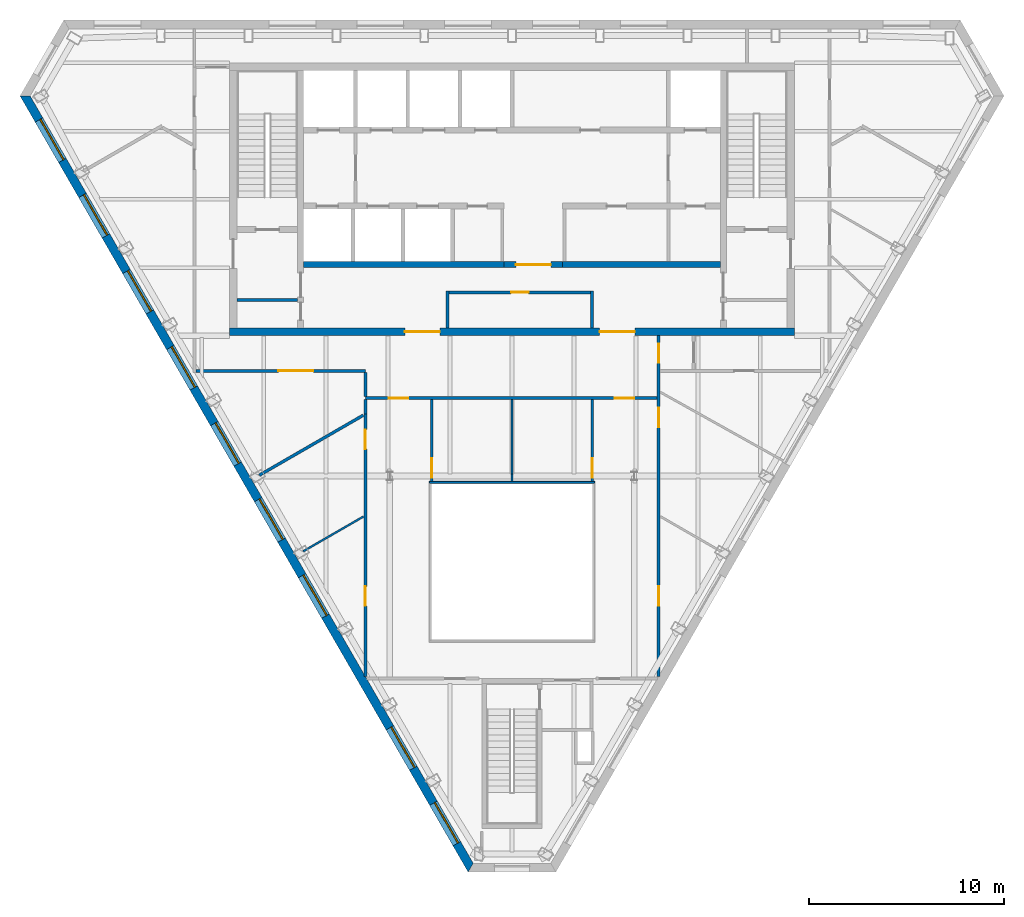
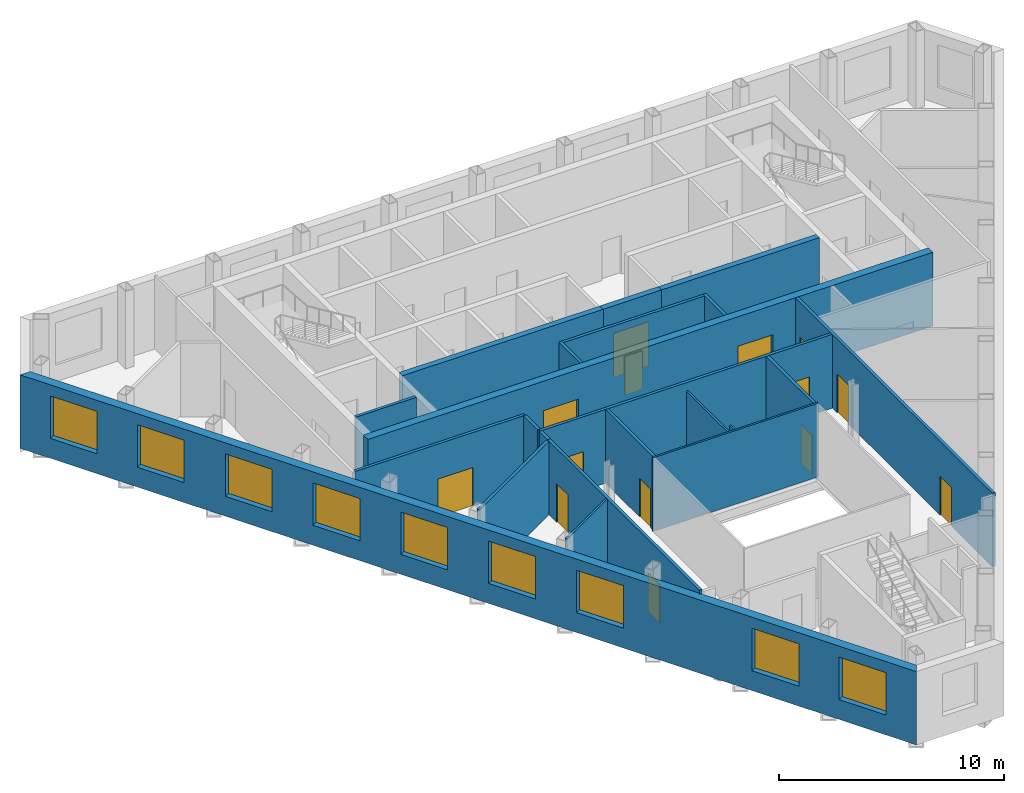
# One storey, part 5 of 11: 22 walls, 14 doors, 9 windows, 23 openings.
"""IFC4 building model written with IfcOpenShell, lengths in metres."""

from ifc_helpers import new_model, si_unit, direction, frame, frame_2d, origin, place, context, subcontext, project, spatial, polyline, rectangle, outline, extrude, material, layer, layer_set, type_object, element, fill, save


model = new_model("IFC4")

# Units and contexts
model_context = context("Model", 3, precision=1e-05, world=origin(), true_north=direction((0.0, 1.0)))
body_context = subcontext(model_context, "Body", "Model", "MODEL_VIEW")
ifc_project = project(units=[si_unit("LENGTHUNIT", "METRE"), si_unit("AREAUNIT", "SQUARE_METRE"), si_unit("VOLUMEUNIT", "CUBIC_METRE"), si_unit("PLANEANGLEUNIT", "RADIAN"), si_unit("MASSUNIT", "GRAM", prefix="KILO")], contexts=[model_context])

# Site, building, storey
site_placement = place(None, origin())
site = spatial("IfcSite", under=ifc_project, at=site_placement, CompositionType="ELEMENT")
building_placement = place(site_placement, origin())
building = spatial("IfcBuilding", under=site, at=building_placement, Name="Njiva Tower", CompositionType="ELEMENT")
storey_placement = place(building_placement, frame((0.0, 0.0, 312.6)))
storey = spatial("IfcBuildingStorey", under=building, at=storey_placement, Name="L71", CompositionType="ELEMENT", Elevation=312.6)

# Walls
ifc_material_1 = material(Name="Blockwork", Category="masonry")
ifc_layer_1 = layer(ifc_material_1, 0.15)
ifc_layer_set_1 = layer_set([ifc_layer_1], Name="Blockwork")
wall_type_1 = type_object("IfcWallType", Name="WT1 Compartment partition 150", PredefinedType="PARTITIONING", material=ifc_layer_set_1)
wall_1_placement = place(storey_placement, frame((-14.1, 5.825, 0.0), z_axis=(0.0, 0.0, 1.0), x_axis=(1.0, 0.0, 0.0)))
element("IfcWall", 1, at=wall_1_placement, inside=storey, type_object=wall_type_1, Name="Room wall A", PredefinedType="PARTITIONING", context=body_context, shape_type="SweptSolid", body=[
    extrude(rectangle(XDim=3.1, YDim=0.15, at=frame_2d((1.55, 0.0))), origin(), (0.0, 0.0, 1.0), 4.0),
])
for number, where, z_axis, x_axis, name in (
    (2, (-3.3, 4.4, 0.0), (0.0, 0.0, 1.0), (0.0, 1.0, 0.0), "Information office wall west"),
    (3, (4.1, 4.4, 0.0), (0.0, 0.0, 1.0), (0.0, 1.0, 0.0), "Information office wall east"),
):
    element("IfcWall", number, at=place(storey_placement, frame(where, z_axis=z_axis, x_axis=x_axis)), inside=storey, type_object=wall_type_1, Name=name, PredefinedType="PARTITIONING", context=body_context, shape_type="SweptSolid", body=[
        extrude(rectangle(XDim=1.895, YDim=0.15, at=frame_2d((0.9475, 0.0))), origin(), (0.0, 0.0, 1.0), 4.0),
    ])

# Wall, opening, door
wall_2_placement = place(storey_placement, frame((-3.225, 6.22, 0.0), z_axis=(0.0, 0.0, 1.0), x_axis=(1.0, 0.0, 0.0)))
wall_2 = element("IfcWall", 4, at=wall_2_placement, inside=storey, type_object=wall_type_1, Name="Information office wall north", PredefinedType="PARTITIONING", context=body_context, shape_type="SweptSolid", body=[
    extrude(rectangle(XDim=7.25, YDim=0.15, at=frame_2d((3.625, 0.0))), origin(), (0.0, 0.0, 1.0), 4.0),
])
opening_1_placement = place(wall_2_placement, frame((3.175, 0.0, 0.0)))
opening_1 = element("IfcOpeningElement", 5, at=opening_1_placement, cuts=wall_2, Name="Opening S24-D923", PredefinedType="OPENING", context=body_context, shape_type="SweptSolid", body=[
    extrude(rectangle(XDim=0.9, YDim=2.1, at=frame_2d((0.45, 1.05))), frame((0.0, 0.085, 0.0), z_axis=(0.0, -1.0, 0.0), x_axis=(1.0, 0.0, 0.0)), (0.0, 0.0, 1.0), 0.17),
])
ifc_material_2 = material(Name="Steel fire door, painted", Category="steel")
door_type_1 = type_object("IfcDoorType", Name="D6 Fire-rated door 900x2100", OperationType="SINGLE_SWING_LEFT", PredefinedType="DOOR", material=ifc_material_2)
door_1_placement = place(opening_1_placement, origin())
door_1 = element("IfcDoor", 6, at=door_1_placement, inside=storey, type_object=door_type_1, Name="Information office door", OperationType="SINGLE_SWING_LEFT", OverallHeight=2.1, OverallWidth=0.9, PredefinedType="DOOR", context=body_context, shape_type="SweptSolid", body=[
    extrude(rectangle(XDim=0.9, YDim=2.1, at=frame_2d((0.45, 1.05))), frame((0.0, 0.025, 0.0), z_axis=(0.0, -1.0, 0.0), x_axis=(1.0, 0.0, 0.0)), (0.0, 0.0, 1.0), 0.05),
])
fill(opening_1, door_1)

# Wall, openings, doors
ifc_material_3 = material(Name="Concrete C60/75", Category="concrete")
ifc_layer_2 = layer(ifc_material_3, 0.4)
ifc_layer_set_2 = layer_set([ifc_layer_2], Name="Concrete C60/75")
wall_type_2 = type_object("IfcWallType", Name="WT11 Core wall 400", PredefinedType="SHEAR", material=ifc_layer_set_2)
wall_3_placement = place(storey_placement, frame((-14.5, 4.2, 0.0), z_axis=(0.0, 0.0, 1.0), x_axis=(1.0, 0.0, 0.0)))
wall_3 = element("IfcWall", 7, at=wall_3_placement, inside=storey, type_object=wall_type_2, Name="Core wall south", PredefinedType="SHEAR", context=body_context, shape_type="SweptSolid", body=[
    extrude(rectangle(XDim=29.0, YDim=0.4, at=frame_2d((14.5, 0.0))), origin(), (0.0, 0.0, 1.0), 4.0),
])
opening_2_placement = place(wall_3_placement, frame((9.0, 0.0, 0.0)))
opening_2 = element("IfcOpeningElement", 8, at=opening_2_placement, cuts=wall_3, Name="Opening S24-D925", PredefinedType="OPENING", context=body_context, shape_type="SweptSolid", body=[
    extrude(rectangle(XDim=1.8, YDim=2.4, at=frame_2d((0.9, 1.2))), frame((0.0, 0.21, 0.0), z_axis=(0.0, -1.0, 0.0), x_axis=(1.0, 0.0, 0.0)), (0.0, 0.0, 1.0), 0.42),
])
opening_3_placement = place(wall_3_placement, frame((19.0, 0.0, 0.0)))
opening_3 = element("IfcOpeningElement", 9, at=opening_3_placement, cuts=wall_3, Name="Opening S24-D926", PredefinedType="OPENING", context=body_context, shape_type="SweptSolid", body=[
    extrude(rectangle(XDim=1.8, YDim=2.4, at=frame_2d((0.9, 1.2))), frame((0.0, 0.21, 0.0), z_axis=(0.0, -1.0, 0.0), x_axis=(1.0, 0.0, 0.0)), (0.0, 0.0, 1.0), 0.42),
])
ifc_material_4 = material(Name="Steel and glass door", Category="steel")
door_type_2 = type_object("IfcDoorType", Name="D3 Core entrance door 1800x2400", OperationType="DOUBLE_DOOR_SINGLE_SWING", PredefinedType="DOOR", material=ifc_material_4)
door_2_placement = place(opening_2_placement, origin())
door_2 = element("IfcDoor", 10, at=door_2_placement, inside=storey, type_object=door_type_2, Name="Core entrance door", OperationType="DOUBLE_DOOR_SINGLE_SWING", OverallHeight=2.4, OverallWidth=1.8, PredefinedType="DOOR", context=body_context, shape_type="SweptSolid", body=[
    extrude(rectangle(XDim=1.8, YDim=2.4, at=frame_2d((0.9, 1.2))), frame((0.0, 0.025, 0.0), z_axis=(0.0, -1.0, 0.0), x_axis=(1.0, 0.0, 0.0)), (0.0, 0.0, 1.0), 0.05),
])
fill(opening_2, door_2)
door_3_placement = place(opening_3_placement, origin())
door_3 = element("IfcDoor", 11, at=door_3_placement, inside=storey, type_object=door_type_2, Name="Core entrance door", OperationType="DOUBLE_DOOR_SINGLE_SWING", OverallHeight=2.4, OverallWidth=1.8, PredefinedType="DOOR", context=body_context, shape_type="SweptSolid", body=[
    extrude(rectangle(XDim=1.8, YDim=2.4, at=frame_2d((0.9, 1.2))), frame((0.0, 0.025, 0.0), z_axis=(0.0, -1.0, 0.0), x_axis=(1.0, 0.0, 0.0)), (0.0, 0.0, 1.0), 0.05),
])
fill(opening_3, door_3)

# Walls
ifc_material_5 = material(Name="Gypsum board on steel studs", Category="gypsum")
ifc_layer_3 = layer(ifc_material_5, 0.1)
ifc_layer_set_3 = layer_set([ifc_layer_3], Name="Gypsum board on steel studs")
wall_type_3 = type_object("IfcWallType", Name="WT20 Gypsum partition 100", PredefinedType="PARTITIONING", material=ifc_layer_set_3)
wall_4_placement = place(storey_placement, frame((-10.715, -7.064, 0.0), z_axis=(0.0, 0.0, 1.0), x_axis=(0.866134332687, 0.499811282126, 0.0)))
element("IfcWall", 12, at=wall_4_placement, inside=storey, type_object=wall_type_3, Name="Partition S24-P008", PredefinedType="PARTITIONING", context=body_context, shape_type="SweptSolid", body=[
    extrude(rectangle(XDim=3.5733, YDim=0.1, at=frame_2d((1.7866, 0.0))), origin(), (0.0, 0.0, 1.0), 4.0),
])
wall_5_placement = place(storey_placement, frame((-0.001, 0.725, 0.0), z_axis=(0.0, 0.0, 1.0), x_axis=(0.000235294111, -0.999999972318, 0.0)))
element("IfcWall", 13, at=wall_5_placement, inside=storey, type_object=wall_type_3, Name="Partition S24-P017", PredefinedType="PARTITIONING", context=body_context, shape_type="SweptSolid", body=[
    extrude(rectangle(XDim=3.825, YDim=0.1, at=frame_2d((1.9125, 0.0))), origin(), (0.0, 0.0, 1.0), 3.55),
])
wall_6_placement = place(storey_placement, frame((-0.0001, -3.1, 0.0), z_axis=(0.0, 0.0, 1.0), x_axis=(0.000263157886, -0.999999965374, 0.0)))
element("IfcWall", 14, at=wall_6_placement, inside=storey, type_object=wall_type_3, Name="Partition S24-P017A", PredefinedType="PARTITIONING", context=body_context, shape_type="SweptSolid", body=[
    extrude(rectangle(XDim=0.38, YDim=0.1, at=frame_2d((0.19, 0.0))), origin(), (0.0, 0.0, 1.0), 4.0),
])

# Wall, opening, door
ifc_layer_4 = layer(ifc_material_5, 0.15)
ifc_layer_set_4 = layer_set([ifc_layer_4], Name="Gypsum board on steel studs")
wall_type_4 = type_object("IfcWallType", Name="WT21 Compartment wall 150", PredefinedType="PARTITIONING", material=ifc_layer_set_4)
wall_7_placement = place(storey_placement, frame((-16.225, 2.2, 0.0), z_axis=(0.0, 0.0, 1.0), x_axis=(1.0, 0.0, 0.0)))
wall_7 = element("IfcWall", 15, at=wall_7_placement, inside=storey, type_object=wall_type_4, Name="Partition S24-P005", PredefinedType="PARTITIONING", context=body_context, shape_type="SweptSolid", body=[
    extrude(rectangle(XDim=8.703, YDim=0.15, at=frame_2d((4.3515, 0.0))), origin(), (0.0, 0.0, 1.0), 4.0),
])
opening_4_placement = place(wall_7_placement, frame((4.232, 0.0, 0.0)))
opening_4 = element("IfcOpeningElement", 16, at=opening_4_placement, cuts=wall_7, Name="Opening S24-D003", PredefinedType="OPENING", context=body_context, shape_type="SweptSolid", body=[
    extrude(rectangle(XDim=1.8, YDim=2.1, at=frame_2d((0.9, 1.05))), frame((0.0, 0.085, 0.0), z_axis=(0.0, -1.0, 0.0), x_axis=(1.0, 0.0, 0.0)), (0.0, 0.0, 1.0), 0.17),
])
ifc_material_6 = material(Name="Steel fire door set", Category="steel")
door_type_3 = type_object("IfcDoorType", Name="D38 Fire door 1800x2100", OperationType="DOUBLE_DOOR_SINGLE_SWING", PredefinedType="DOOR", material=ifc_material_6)
door_4_placement = place(opening_4_placement, origin())
door_4 = element("IfcDoor", 17, at=door_4_placement, inside=storey, type_object=door_type_3, Name="Door S24-D003", OperationType="DOUBLE_DOOR_SINGLE_SWING", OverallHeight=2.1, OverallWidth=1.8, PredefinedType="DOOR", context=body_context, shape_type="SweptSolid", body=[
    extrude(rectangle(XDim=1.8, YDim=2.1, at=frame_2d((0.9, 1.05))), frame((0.0, 0.025, 0.0), z_axis=(0.0, -1.0, 0.0), x_axis=(1.0, 0.0, 0.0)), (0.0, 0.0, 1.0), 0.05),
])
fill(opening_4, door_4)

# Wall
wall_8_placement = place(storey_placement, frame((-12.968, -3.161, 0.0), z_axis=(0.0, 0.0, 1.0), x_axis=(0.8660774803, 0.499909789979, 0.0)))
element("IfcWall", 18, at=wall_8_placement, inside=storey, type_object=wall_type_4, Name="Partition S24-P007", PredefinedType="PARTITIONING", context=body_context, shape_type="SweptSolid", body=[
    extrude(rectangle(XDim=6.1611, YDim=0.15, at=frame_2d((3.0806, 0.0))), origin(), (0.0, 0.0, 1.0), 4.0),
])

# Wall, openings, doors
wall_9_placement = place(storey_placement, frame((-7.52, -13.498, 0.0), z_axis=(0.0, 0.0, 1.0), x_axis=(0.0, 1.0, 0.0)))
wall_9 = element("IfcWall", 19, at=wall_9_placement, inside=storey, type_object=wall_type_4, Name="Partition S24-P009", PredefinedType="PARTITIONING", context=body_context, shape_type="SweptSolid", body=[
    extrude(rectangle(XDim=13.482, YDim=0.15, at=frame_2d((6.741, 0.0))), origin(), (0.0, 0.0, 1.0), 4.0),
])
opening_5_placement = place(wall_9_placement, frame((3.639, 0.0, 0.0)))
opening_5 = element("IfcOpeningElement", 20, at=opening_5_placement, cuts=wall_9, Name="Opening S24-D005", PredefinedType="OPENING", context=body_context, shape_type="SweptSolid", body=[
    extrude(rectangle(XDim=1.0, YDim=2.1, at=frame_2d((0.5, 1.05))), frame((0.0, 0.085, 0.0), z_axis=(0.0, -1.0, 0.0), x_axis=(1.0, 0.0, 0.0)), (0.0, 0.0, 1.0), 0.17),
])
opening_6_placement = place(wall_9_placement, frame((11.681, 0.0, 0.0)))
opening_6 = element("IfcOpeningElement", 21, at=opening_6_placement, cuts=wall_9, Name="Opening S24-D006", PredefinedType="OPENING", context=body_context, shape_type="SweptSolid", body=[
    extrude(rectangle(XDim=1.0, YDim=2.1, at=frame_2d((0.5, 1.05))), frame((0.0, 0.085, 0.0), z_axis=(0.0, -1.0, 0.0), x_axis=(1.0, 0.0, 0.0)), (0.0, 0.0, 1.0), 0.17),
])
door_type_4 = type_object("IfcDoorType", Name="D37 Fire door 1000x2100", OperationType="SINGLE_SWING_LEFT", PredefinedType="DOOR", material=ifc_material_6)
door_5_placement = place(opening_5_placement, origin())
door_5 = element("IfcDoor", 22, at=door_5_placement, inside=storey, type_object=door_type_4, Name="Door S24-D005", OperationType="SINGLE_SWING_RIGHT", OverallHeight=2.1, OverallWidth=1.0, PredefinedType="DOOR", context=body_context, shape_type="SweptSolid", body=[
    extrude(rectangle(XDim=1.0, YDim=2.1, at=frame_2d((0.5, 1.05))), frame((0.0, 0.025, 0.0), z_axis=(0.0, -1.0, 0.0), x_axis=(1.0, 0.0, 0.0)), (0.0, 0.0, 1.0), 0.05),
])
fill(opening_5, door_5)
door_6_placement = place(opening_6_placement, origin())
door_6 = element("IfcDoor", 23, at=door_6_placement, inside=storey, type_object=door_type_4, Name="Door S24-D006", OperationType="SINGLE_SWING_LEFT", OverallHeight=2.1, OverallWidth=1.0, PredefinedType="DOOR", context=body_context, shape_type="SweptSolid", body=[
    extrude(rectangle(XDim=1.0, YDim=2.1, at=frame_2d((0.5, 1.05))), frame((0.0, 0.025, 0.0), z_axis=(0.0, -1.0, 0.0), x_axis=(1.0, 0.0, 0.0)), (0.0, 0.0, 1.0), 0.05),
])
fill(opening_6, door_6)

# Wall
wall_10_placement = place(storey_placement, frame((-7.52, -0.014, 0.0), z_axis=(0.0, 0.0, 1.0), x_axis=(0.0, 1.0, 0.0)))
element("IfcWall", 24, at=wall_10_placement, inside=storey, type_object=wall_type_4, Name="Partition S24-P010", PredefinedType="PARTITIONING", context=body_context, shape_type="SweptSolid", body=[
    extrude(rectangle(XDim=0.739, YDim=0.15, at=frame_2d((0.3695, 0.0))), origin(), (0.0, 0.0, 1.0), 4.0),
])

# Wall, openings, doors
wall_11_placement = place(storey_placement, frame((-7.52, 0.8, 0.0), z_axis=(0.0, 0.0, 1.0), x_axis=(1.0, 0.0, 0.0)))
wall_11 = element("IfcWall", 25, at=wall_11_placement, inside=storey, type_object=wall_type_4, Name="Partition S24-P011", PredefinedType="PARTITIONING", context=body_context, shape_type="SweptSolid", body=[
    extrude(rectangle(XDim=14.965, YDim=0.15, at=frame_2d((7.4825, 0.0))), origin(), (0.0, 0.0, 1.0), 4.0),
])
opening_7_placement = place(wall_11_placement, frame((1.206, 0.0, 0.0)))
opening_7 = element("IfcOpeningElement", 26, at=opening_7_placement, cuts=wall_11, Name="Opening S24-D007", PredefinedType="OPENING", context=body_context, shape_type="SweptSolid", body=[
    extrude(rectangle(XDim=1.0, YDim=2.1, at=frame_2d((0.5, 1.05))), frame((0.0, 0.085, 0.0), z_axis=(0.0, -1.0, 0.0), x_axis=(1.0, 0.0, 0.0)), (0.0, 0.0, 1.0), 0.17),
])
opening_8_placement = place(wall_11_placement, frame((12.796, 0.0, 0.0)))
opening_8 = element("IfcOpeningElement", 27, at=opening_8_placement, cuts=wall_11, Name="Opening S24-D008", PredefinedType="OPENING", context=body_context, shape_type="SweptSolid", body=[
    extrude(rectangle(XDim=1.0, YDim=2.1, at=frame_2d((0.5, 1.05))), frame((0.0, 0.085, 0.0), z_axis=(0.0, -1.0, 0.0), x_axis=(1.0, 0.0, 0.0)), (0.0, 0.0, 1.0), 0.17),
])
door_7_placement = place(opening_7_placement, origin())
door_7 = element("IfcDoor", 28, at=door_7_placement, inside=storey, type_object=door_type_4, Name="Door S24-D007", OperationType="SINGLE_SWING_RIGHT", OverallHeight=2.1, OverallWidth=1.0, PredefinedType="DOOR", context=body_context, shape_type="SweptSolid", body=[
    extrude(rectangle(XDim=1.0, YDim=2.1, at=frame_2d((0.5, 1.05))), frame((0.0, 0.025, 0.0), z_axis=(0.0, -1.0, 0.0), x_axis=(1.0, 0.0, 0.0)), (0.0, 0.0, 1.0), 0.05),
])
fill(opening_7, door_7)
door_8_placement = place(opening_8_placement, origin())
door_8 = element("IfcDoor", 29, at=door_8_placement, inside=storey, type_object=door_type_4, Name="Door S24-D008", OperationType="SINGLE_SWING_LEFT", OverallHeight=2.1, OverallWidth=1.0, PredefinedType="DOOR", context=body_context, shape_type="SweptSolid", body=[
    extrude(rectangle(XDim=1.0, YDim=2.1, at=frame_2d((0.5, 1.05))), frame((0.0, 0.025, 0.0), z_axis=(0.0, -1.0, 0.0), x_axis=(1.0, 0.0, 0.0)), (0.0, 0.0, 1.0), 0.05),
])
fill(opening_8, door_8)

# Wall
wall_12_placement = place(storey_placement, frame((-7.52, 0.875, 0.0), z_axis=(0.0, 0.0, 1.0), x_axis=(0.0, 1.0, 0.0)))
element("IfcWall", 30, at=wall_12_placement, inside=storey, type_object=wall_type_4, Name="Partition S24-P012", PredefinedType="PARTITIONING", context=body_context, shape_type="SweptSolid", body=[
    extrude(rectangle(XDim=1.25, YDim=0.15, at=frame_2d((0.625, 0.0))), origin(), (0.0, 0.0, 1.0), 4.0),
])

# Wall, opening, door
wall_13_placement = place(storey_placement, frame((-4.12, 0.725, 0.0), z_axis=(0.0, 0.0, 1.0), x_axis=(0.000237812122, -0.999999971723, 0.0)))
wall_13 = element("IfcWall", 31, at=wall_13_placement, inside=storey, type_object=wall_type_4, Name="Partition S24-P014", PredefinedType="PARTITIONING", context=body_context, shape_type="SweptSolid", body=[
    extrude(rectangle(XDim=4.205, YDim=0.15, at=frame_2d((2.1025, 0.0))), origin(), (0.0, 0.0, 1.0), 4.0),
])
opening_9_placement = place(wall_13_placement, frame((3.005, 0.0, 0.0)))
opening_9 = element("IfcOpeningElement", 32, at=opening_9_placement, cuts=wall_13, Name="Opening S24-D010", PredefinedType="OPENING", context=body_context, shape_type="SweptSolid", body=[
    extrude(rectangle(XDim=1.0, YDim=2.1, at=frame_2d((0.5, 1.05))), frame((0.0, 0.085, 0.0), z_axis=(0.0, -1.0, 0.0), x_axis=(1.0, 0.0, 0.0)), (0.0, 0.0, 1.0), 0.17),
])
door_9_placement = place(opening_9_placement, origin())
door_9 = element("IfcDoor", 33, at=door_9_placement, inside=storey, type_object=door_type_4, Name="Door S24-D010", OperationType="SINGLE_SWING_LEFT", OverallHeight=2.1, OverallWidth=1.0, PredefinedType="DOOR", context=body_context, shape_type="SweptSolid", body=[
    extrude(rectangle(XDim=1.0, YDim=2.1, at=frame_2d((0.5, 1.05))), frame((0.0, 0.025, 0.0), z_axis=(0.0, -1.0, 0.0), x_axis=(1.0, 0.0, 0.0)), (0.0, 0.0, 1.0), 0.05),
])
fill(opening_9, door_9)

wall_14_placement = place(storey_placement, frame((4.119, 0.725, 0.0), z_axis=(0.0, 0.0, 1.0), x_axis=(0.000237812122, -0.999999971723, 0.0)))
wall_14 = element("IfcWall", 34, at=wall_14_placement, inside=storey, type_object=wall_type_4, Name="Partition S24-P018", PredefinedType="PARTITIONING", context=body_context, shape_type="SweptSolid", body=[
    extrude(rectangle(XDim=4.205, YDim=0.15, at=frame_2d((2.1025, 0.0))), origin(), (0.0, 0.0, 1.0), 4.0),
])
opening_10_placement = place(wall_14_placement, frame((3.005, 0.0, 0.0)))
opening_10 = element("IfcOpeningElement", 35, at=opening_10_placement, cuts=wall_14, Name="Opening S24-D011", PredefinedType="OPENING", context=body_context, shape_type="SweptSolid", body=[
    extrude(rectangle(XDim=1.0, YDim=2.1, at=frame_2d((0.5, 1.05))), frame((0.0, 0.085, 0.0), z_axis=(0.0, -1.0, 0.0), x_axis=(1.0, 0.0, 0.0)), (0.0, 0.0, 1.0), 0.17),
])
door_10_placement = place(opening_10_placement, origin())
door_10 = element("IfcDoor", 36, at=door_10_placement, inside=storey, type_object=door_type_4, Name="Door S24-D011", OperationType="SINGLE_SWING_RIGHT", OverallHeight=2.1, OverallWidth=1.0, PredefinedType="DOOR", context=body_context, shape_type="SweptSolid", body=[
    extrude(rectangle(XDim=1.0, YDim=2.1, at=frame_2d((0.5, 1.05))), frame((0.0, 0.025, 0.0), z_axis=(0.0, -1.0, 0.0), x_axis=(1.0, 0.0, 0.0)), (0.0, 0.0, 1.0), 0.05),
])
fill(opening_10, door_10)

# Wall, openings, doors
wall_15_placement = place(storey_placement, frame((7.52, -13.498, 0.0), z_axis=(0.0, 0.0, 1.0), x_axis=(0.0, 1.0, 0.0)))
wall_15 = element("IfcWall", 37, at=wall_15_placement, inside=storey, type_object=wall_type_4, Name="Partition S24-P020", PredefinedType="PARTITIONING", context=body_context, shape_type="SweptSolid", body=[
    extrude(rectangle(XDim=17.498, YDim=0.15, at=frame_2d((8.749, 0.0))), origin(), (0.0, 0.0, 1.0), 4.0),
])
opening_11_placement = place(wall_15_placement, frame((3.639, 0.0, 0.0)))
opening_11 = element("IfcOpeningElement", 38, at=opening_11_placement, cuts=wall_15, Name="Opening S24-D013", PredefinedType="OPENING", context=body_context, shape_type="SweptSolid", body=[
    extrude(rectangle(XDim=1.0, YDim=2.1, at=frame_2d((0.5, 1.05))), frame((0.0, 0.085, 0.0), z_axis=(0.0, -1.0, 0.0), x_axis=(1.0, 0.0, 0.0)), (0.0, 0.0, 1.0), 0.17),
])
opening_12_placement = place(wall_15_placement, frame((12.808, 0.0, 0.0)))
opening_12 = element("IfcOpeningElement", 39, at=opening_12_placement, cuts=wall_15, Name="Opening S24-D014", PredefinedType="OPENING", context=body_context, shape_type="SweptSolid", body=[
    extrude(rectangle(XDim=1.0, YDim=2.1, at=frame_2d((0.5, 1.05))), frame((0.0, 0.085, 0.0), z_axis=(0.0, -1.0, 0.0), x_axis=(1.0, 0.0, 0.0)), (0.0, 0.0, 1.0), 0.17),
])
opening_13_placement = place(wall_15_placement, frame((16.098, 0.0, 0.0)))
opening_13 = element("IfcOpeningElement", 40, at=opening_13_placement, cuts=wall_15, Name="Opening S24-D015", PredefinedType="OPENING", context=body_context, shape_type="SweptSolid", body=[
    extrude(rectangle(XDim=1.0, YDim=2.1, at=frame_2d((0.5, 1.05))), frame((0.0, 0.085, 0.0), z_axis=(0.0, -1.0, 0.0), x_axis=(1.0, 0.0, 0.0)), (0.0, 0.0, 1.0), 0.17),
])
door_11_placement = place(opening_11_placement, origin())
door_11 = element("IfcDoor", 41, at=door_11_placement, inside=storey, type_object=door_type_4, Name="Door S24-D013", OperationType="SINGLE_SWING_LEFT", OverallHeight=2.1, OverallWidth=1.0, PredefinedType="DOOR", context=body_context, shape_type="SweptSolid", body=[
    extrude(rectangle(XDim=1.0, YDim=2.1, at=frame_2d((0.5, 1.05))), frame((0.0, 0.025, 0.0), z_axis=(0.0, -1.0, 0.0), x_axis=(1.0, 0.0, 0.0)), (0.0, 0.0, 1.0), 0.05),
])
fill(opening_11, door_11)
door_12_placement = place(opening_12_placement, origin())
door_12 = element("IfcDoor", 42, at=door_12_placement, inside=storey, type_object=door_type_4, Name="Door S24-D014", OperationType="SINGLE_SWING_RIGHT", OverallHeight=2.1, OverallWidth=1.0, PredefinedType="DOOR", context=body_context, shape_type="SweptSolid", body=[
    extrude(rectangle(XDim=1.0, YDim=2.1, at=frame_2d((0.5, 1.05))), frame((0.0, 0.025, 0.0), z_axis=(0.0, -1.0, 0.0), x_axis=(1.0, 0.0, 0.0)), (0.0, 0.0, 1.0), 0.05),
])
fill(opening_12, door_12)
door_13_placement = place(opening_13_placement, origin())
door_13 = element("IfcDoor", 43, at=door_13_placement, inside=storey, type_object=door_type_4, Name="Door S24-D015", OperationType="SINGLE_SWING_RIGHT", OverallHeight=2.1, OverallWidth=1.0, PredefinedType="DOOR", context=body_context, shape_type="SweptSolid", body=[
    extrude(rectangle(XDim=1.0, YDim=2.1, at=frame_2d((0.5, 1.05))), frame((0.0, 0.025, 0.0), z_axis=(0.0, -1.0, 0.0), x_axis=(1.0, 0.0, 0.0)), (0.0, 0.0, 1.0), 0.05),
])
fill(opening_13, door_13)

# Wall, opening, door
ifc_layer_5 = layer(ifc_material_1, 0.3)
ifc_layer_set_5 = layer_set([ifc_layer_5], Name="Blockwork")
wall_type_5 = type_object("IfcWallType", Name="WT5 Lobby partition 300", PredefinedType="PARTITIONING", material=ifc_layer_set_5)
wall_16_placement = place(storey_placement, frame((-0.4, 7.65, 0.0), z_axis=(0.0, 0.0, 1.0), x_axis=(1.0, 0.0, 0.0)))
wall_16 = element("IfcWall", 44, at=wall_16_placement, inside=storey, type_object=wall_type_5, Name="Lift lobby screen wall", PredefinedType="PARTITIONING", context=body_context, shape_type="SweptSolid", body=[
    extrude(rectangle(XDim=3.0, YDim=0.3, at=frame_2d((1.5, 0.0))), origin(), (0.0, 0.0, 1.0), 4.0),
])
opening_14_placement = place(wall_16_placement, frame((0.6, 0.0, 0.0)))
opening_14 = element("IfcOpeningElement", 45, at=opening_14_placement, cuts=wall_16, Name="Opening S24-D924", PredefinedType="OPENING", context=body_context, shape_type="SweptSolid", body=[
    extrude(rectangle(XDim=1.8, YDim=2.4, at=frame_2d((0.9, 1.2))), frame((0.0, 0.16, 0.0), z_axis=(0.0, -1.0, 0.0), x_axis=(1.0, 0.0, 0.0)), (0.0, 0.0, 1.0), 0.32),
])
door_14_placement = place(opening_14_placement, origin())
door_14 = element("IfcDoor", 46, at=door_14_placement, inside=storey, type_object=door_type_2, Name="Core entrance door", OperationType="DOUBLE_DOOR_SINGLE_SWING", OverallHeight=2.4, OverallWidth=1.8, PredefinedType="DOOR", context=body_context, shape_type="SweptSolid", body=[
    extrude(rectangle(XDim=1.8, YDim=2.4, at=frame_2d((0.9, 1.2))), frame((0.0, 0.025, 0.0), z_axis=(0.0, -1.0, 0.0), x_axis=(1.0, 0.0, 0.0)), (0.0, 0.0, 1.0), 0.05),
])
fill(opening_14, door_14)

# Walls
ifc_material_7 = material(Name="Concrete C40/50", Category="concrete")
ifc_layer_6 = layer(ifc_material_7, 0.3)
ifc_layer_set_6 = layer_set([ifc_layer_6], Name="Concrete C40/50")
wall_type_6 = type_object("IfcWallType", Name="WT7 Lift shaft wall 300", PredefinedType="SHEAR", material=ifc_layer_set_6)
wall_17_placement = place(storey_placement, frame((-10.7, 7.65, 0.0), z_axis=(0.0, 0.0, 1.0), x_axis=(1.0, 0.0, 0.0)))
element("IfcWall", 47, at=wall_17_placement, inside=storey, type_object=wall_type_6, Name="Shaft wall south row back W", PredefinedType="SHEAR", context=body_context, shape_type="SweptSolid", body=[
    extrude(rectangle(XDim=10.3, YDim=0.3, at=frame_2d((5.15, 0.0))), origin(), (0.0, 0.0, 1.0), 4.0),
])
wall_18_placement = place(storey_placement, frame((2.6, 7.65, 0.0), z_axis=(0.0, 0.0, 1.0), x_axis=(1.0, 0.0, 0.0)))
element("IfcWall", 48, at=wall_18_placement, inside=storey, type_object=wall_type_6, Name="Shaft wall south row back E", PredefinedType="SHEAR", context=body_context, shape_type="SweptSolid", body=[
    extrude(rectangle(XDim=8.1, YDim=0.3, at=frame_2d((4.05, 0.0))), origin(), (0.0, 0.0, 1.0), 4.0),
])

# Wall, openings, windows
ifc_material_8 = material(Name="Brick masonry", Category="masonry")
ifc_layer_7 = layer(ifc_material_8, 0.45)
ifc_layer_set_7 = layer_set([ifc_layer_7], Name="Brick masonry")
wall_type_7 = type_object("IfcWallType", Name="WT90 Brick pier and spandrel wall 450", PredefinedType="SOLIDWALL", material=ifc_layer_set_7)
wall_19_placement = place(storey_placement, frame((-24.9852, 16.3029, -0.18), z_axis=(0.0, 0.0, 1.0), x_axis=(0.500000141277, -0.866025322218, 0.0)))
wall_19 = element("IfcWall", 49, at=wall_19_placement, inside=storey, type_object=wall_type_7, Name="Facade wall SW", PredefinedType="SOLIDWALL", context=body_context, shape_type="SweptSolid", body=[
    extrude(outline(polyline([(-0.1299, -0.225), (45.8601, -0.225), (45.6003, 0.225), (0.1299, 0.225), (-0.1299, -0.225)])), origin(), (0.0, 0.0, 1.0), 3.98),
])
opening_15_placement = place(wall_19_placement, frame((1.4237, 0.0, 1.08)))
opening_15 = element("IfcOpeningElement", 50, at=opening_15_placement, cuts=wall_19, Name="Opening S24-W09", PredefinedType="OPENING", context=body_context, shape_type="SweptSolid", body=[
    extrude(rectangle(XDim=2.4, YDim=2.3, at=frame_2d((1.2, 1.15))), frame((0.0, 0.235, 0.0), z_axis=(0.0, -1.0, 0.0), x_axis=(1.0, 0.0, 0.0)), (0.0, 0.0, 1.0), 0.47),
])
opening_16_placement = place(wall_19_placement, frame((5.8919, 0.0, 1.08)))
opening_16 = element("IfcOpeningElement", 51, at=opening_16_placement, cuts=wall_19, Name="Opening S24-W10", PredefinedType="OPENING", context=body_context, shape_type="SweptSolid", body=[
    extrude(rectangle(XDim=2.4, YDim=2.3, at=frame_2d((1.2, 1.15))), frame((0.0, 0.235, 0.0), z_axis=(0.0, -1.0, 0.0), x_axis=(1.0, 0.0, 0.0)), (0.0, 0.0, 1.0), 0.47),
])
opening_17_placement = place(wall_19_placement, frame((10.3985, 0.0, 1.08)))
opening_17 = element("IfcOpeningElement", 52, at=opening_17_placement, cuts=wall_19, Name="Opening S24-W11", PredefinedType="OPENING", context=body_context, shape_type="SweptSolid", body=[
    extrude(rectangle(XDim=2.4, YDim=2.3, at=frame_2d((1.2, 1.15))), frame((0.0, 0.235, 0.0), z_axis=(0.0, -1.0, 0.0), x_axis=(1.0, 0.0, 0.0)), (0.0, 0.0, 1.0), 0.47),
])
opening_18_placement = place(wall_19_placement, frame((14.9052, 0.0, 1.08)))
opening_18 = element("IfcOpeningElement", 53, at=opening_18_placement, cuts=wall_19, Name="Opening S24-W12", PredefinedType="OPENING", context=body_context, shape_type="SweptSolid", body=[
    extrude(rectangle(XDim=2.4, YDim=2.3, at=frame_2d((1.2, 1.15))), frame((0.0, 0.235, 0.0), z_axis=(0.0, -1.0, 0.0), x_axis=(1.0, 0.0, 0.0)), (0.0, 0.0, 1.0), 0.47),
])
opening_19_placement = place(wall_19_placement, frame((19.4118, 0.0, 1.08)))
opening_19 = element("IfcOpeningElement", 54, at=opening_19_placement, cuts=wall_19, Name="Opening S24-W13", PredefinedType="OPENING", context=body_context, shape_type="SweptSolid", body=[
    extrude(rectangle(XDim=2.4, YDim=2.3, at=frame_2d((1.2, 1.15))), frame((0.0, 0.235, 0.0), z_axis=(0.0, -1.0, 0.0), x_axis=(1.0, 0.0, 0.0)), (0.0, 0.0, 1.0), 0.47),
])
opening_20_placement = place(wall_19_placement, frame((23.9184, 0.0, 1.08)))
opening_20 = element("IfcOpeningElement", 55, at=opening_20_placement, cuts=wall_19, Name="Opening S24-W14", PredefinedType="OPENING", context=body_context, shape_type="SweptSolid", body=[
    extrude(rectangle(XDim=2.4, YDim=2.3, at=frame_2d((1.2, 1.15))), frame((0.0, 0.235, 0.0), z_axis=(0.0, -1.0, 0.0), x_axis=(1.0, 0.0, 0.0)), (0.0, 0.0, 1.0), 0.47),
])
opening_21_placement = place(wall_19_placement, frame((28.425, 0.0, 1.08)))
opening_21 = element("IfcOpeningElement", 56, at=opening_21_placement, cuts=wall_19, Name="Opening S24-W15", PredefinedType="OPENING", context=body_context, shape_type="SweptSolid", body=[
    extrude(rectangle(XDim=2.4, YDim=2.3, at=frame_2d((1.2, 1.15))), frame((0.0, 0.235, 0.0), z_axis=(0.0, -1.0, 0.0), x_axis=(1.0, 0.0, 0.0)), (0.0, 0.0, 1.0), 0.47),
])
opening_22_placement = place(wall_19_placement, frame((37.4383, 0.0, 1.08)))
opening_22 = element("IfcOpeningElement", 57, at=opening_22_placement, cuts=wall_19, Name="Opening S24-W16", PredefinedType="OPENING", context=body_context, shape_type="SweptSolid", body=[
    extrude(rectangle(XDim=2.4, YDim=2.3, at=frame_2d((1.2, 1.15))), frame((0.0, 0.235, 0.0), z_axis=(0.0, -1.0, 0.0), x_axis=(1.0, 0.0, 0.0)), (0.0, 0.0, 1.0), 0.47),
])
opening_23_placement = place(wall_19_placement, frame((41.9065, 0.0, 1.08)))
opening_23 = element("IfcOpeningElement", 58, at=opening_23_placement, cuts=wall_19, Name="Opening S24-W17", PredefinedType="OPENING", context=body_context, shape_type="SweptSolid", body=[
    extrude(rectangle(XDim=2.4, YDim=2.3, at=frame_2d((1.2, 1.15))), frame((0.0, 0.235, 0.0), z_axis=(0.0, -1.0, 0.0), x_axis=(1.0, 0.0, 0.0)), (0.0, 0.0, 1.0), 0.47),
])
ifc_material_9 = material(Name="Clear glazing in aluminium frame", Category="aluminium")
window_type = type_object("IfcWindowType", Name="W91 Deep-set window 2400x2300", PartitioningType="SINGLE_PANEL", PredefinedType="WINDOW", material=ifc_material_9)
window_1_placement = place(opening_15_placement, origin())
window_1 = element("IfcWindow", 59, at=window_1_placement, inside=storey, type_object=window_type, Name="Window", OverallHeight=2.3, OverallWidth=2.4, PartitioningType="SINGLE_PANEL", PredefinedType="WINDOW", context=body_context, shape_type="SweptSolid", body=[
    extrude(rectangle(XDim=2.4, YDim=2.3, at=frame_2d((1.2, 1.15))), frame((0.0, 0.105, 0.0), z_axis=(0.0, -1.0, 0.0), x_axis=(1.0, 0.0, 0.0)), (0.0, 0.0, 1.0), 0.06),
])
fill(opening_15, window_1)
window_2_placement = place(opening_16_placement, origin())
window_2 = element("IfcWindow", 60, at=window_2_placement, inside=storey, type_object=window_type, Name="Window", OverallHeight=2.3, OverallWidth=2.4, PartitioningType="SINGLE_PANEL", PredefinedType="WINDOW", context=body_context, shape_type="SweptSolid", body=[
    extrude(rectangle(XDim=2.4, YDim=2.3, at=frame_2d((1.2, 1.15))), frame((0.0, 0.105, 0.0), z_axis=(0.0, -1.0, 0.0), x_axis=(1.0, 0.0, 0.0)), (0.0, 0.0, 1.0), 0.06),
])
fill(opening_16, window_2)
window_3_placement = place(opening_17_placement, origin())
window_3 = element("IfcWindow", 61, at=window_3_placement, inside=storey, type_object=window_type, Name="Window", OverallHeight=2.3, OverallWidth=2.4, PartitioningType="SINGLE_PANEL", PredefinedType="WINDOW", context=body_context, shape_type="SweptSolid", body=[
    extrude(rectangle(XDim=2.4, YDim=2.3, at=frame_2d((1.2, 1.15))), frame((0.0, 0.105, 0.0), z_axis=(0.0, -1.0, 0.0), x_axis=(1.0, 0.0, 0.0)), (0.0, 0.0, 1.0), 0.06),
])
fill(opening_17, window_3)
window_4_placement = place(opening_18_placement, origin())
window_4 = element("IfcWindow", 62, at=window_4_placement, inside=storey, type_object=window_type, Name="Window", OverallHeight=2.3, OverallWidth=2.4, PartitioningType="SINGLE_PANEL", PredefinedType="WINDOW", context=body_context, shape_type="SweptSolid", body=[
    extrude(rectangle(XDim=2.4, YDim=2.3, at=frame_2d((1.2, 1.15))), frame((0.0, 0.105, 0.0), z_axis=(0.0, -1.0, 0.0), x_axis=(1.0, 0.0, 0.0)), (0.0, 0.0, 1.0), 0.06),
])
fill(opening_18, window_4)
window_5_placement = place(opening_19_placement, origin())
window_5 = element("IfcWindow", 63, at=window_5_placement, inside=storey, type_object=window_type, Name="Window", OverallHeight=2.3, OverallWidth=2.4, PartitioningType="SINGLE_PANEL", PredefinedType="WINDOW", context=body_context, shape_type="SweptSolid", body=[
    extrude(rectangle(XDim=2.4, YDim=2.3, at=frame_2d((1.2, 1.15))), frame((0.0, 0.105, 0.0), z_axis=(0.0, -1.0, 0.0), x_axis=(1.0, 0.0, 0.0)), (0.0, 0.0, 1.0), 0.06),
])
fill(opening_19, window_5)
window_6_placement = place(opening_20_placement, origin())
window_6 = element("IfcWindow", 64, at=window_6_placement, inside=storey, type_object=window_type, Name="Window", OverallHeight=2.3, OverallWidth=2.4, PartitioningType="SINGLE_PANEL", PredefinedType="WINDOW", context=body_context, shape_type="SweptSolid", body=[
    extrude(rectangle(XDim=2.4, YDim=2.3, at=frame_2d((1.2, 1.15))), frame((0.0, 0.105, 0.0), z_axis=(0.0, -1.0, 0.0), x_axis=(1.0, 0.0, 0.0)), (0.0, 0.0, 1.0), 0.06),
])
fill(opening_20, window_6)
window_7_placement = place(opening_21_placement, origin())
window_7 = element("IfcWindow", 65, at=window_7_placement, inside=storey, type_object=window_type, Name="Window", OverallHeight=2.3, OverallWidth=2.4, PartitioningType="SINGLE_PANEL", PredefinedType="WINDOW", context=body_context, shape_type="SweptSolid", body=[
    extrude(rectangle(XDim=2.4, YDim=2.3, at=frame_2d((1.2, 1.15))), frame((0.0, 0.105, 0.0), z_axis=(0.0, -1.0, 0.0), x_axis=(1.0, 0.0, 0.0)), (0.0, 0.0, 1.0), 0.06),
])
fill(opening_21, window_7)
window_8_placement = place(opening_22_placement, origin())
window_8 = element("IfcWindow", 66, at=window_8_placement, inside=storey, type_object=window_type, Name="Window", OverallHeight=2.3, OverallWidth=2.4, PartitioningType="SINGLE_PANEL", PredefinedType="WINDOW", context=body_context, shape_type="SweptSolid", body=[
    extrude(rectangle(XDim=2.4, YDim=2.3, at=frame_2d((1.2, 1.15))), frame((0.0, 0.105, 0.0), z_axis=(0.0, -1.0, 0.0), x_axis=(1.0, 0.0, 0.0)), (0.0, 0.0, 1.0), 0.06),
])
fill(opening_22, window_8)
window_9_placement = place(opening_23_placement, origin())
window_9 = element("IfcWindow", 67, at=window_9_placement, inside=storey, type_object=window_type, Name="Window", OverallHeight=2.3, OverallWidth=2.4, PartitioningType="SINGLE_PANEL", PredefinedType="WINDOW", context=body_context, shape_type="SweptSolid", body=[
    extrude(rectangle(XDim=2.4, YDim=2.3, at=frame_2d((1.2, 1.15))), frame((0.0, 0.105, 0.0), z_axis=(0.0, -1.0, 0.0), x_axis=(1.0, 0.0, 0.0)), (0.0, 0.0, 1.0), 0.06),
])
fill(opening_23, window_9)

# Wall
ifc_material_10 = material(Name="Fire-resisting glazing EI 90", Category="glass")
ifc_layer_8 = layer(ifc_material_10, 0.1)
ifc_layer_set_8 = layer_set([ifc_layer_8], Name="Fire-resisting glazing EI 90")
wall_type_8 = type_object("IfcWallType", Name="WT95 Fire-resisting glazed screen EI 90", PredefinedType="PARTITIONING", material=ifc_layer_set_8)
wall_20_placement = place(storey_placement, frame((4.24, -3.53, 0.0), z_axis=(0.0, 0.0, 1.0), x_axis=(-1.0, 0.0, 0.0)))
element("IfcWall", 68, at=wall_20_placement, inside=storey, type_object=wall_type_8, Name="Atrium fire screen north", PredefinedType="PARTITIONING", context=body_context, shape_type="SweptSolid", body=[
    extrude(rectangle(XDim=8.48, YDim=0.1, at=frame_2d((4.24, 0.0))), origin(), (0.0, 0.0, 1.0), 4.0),
])

save(model, "model.ifc")
